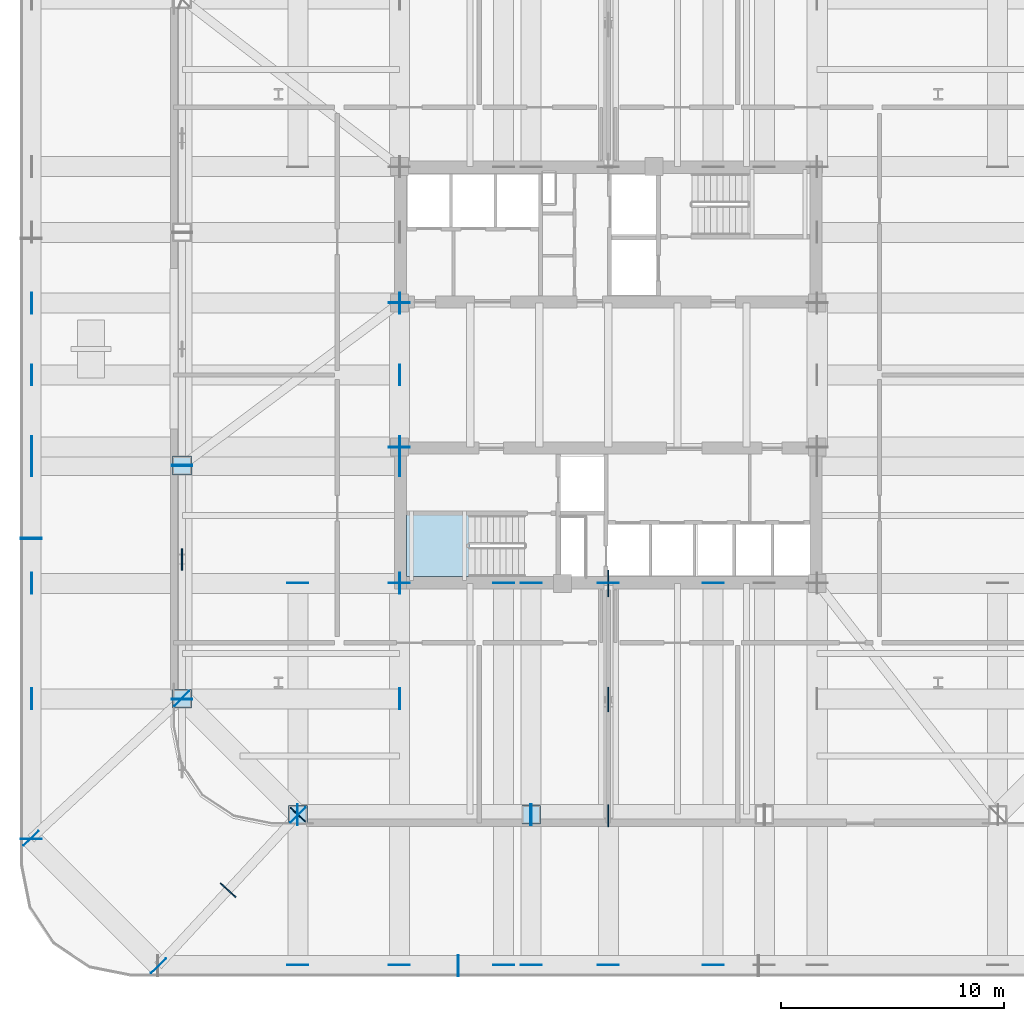
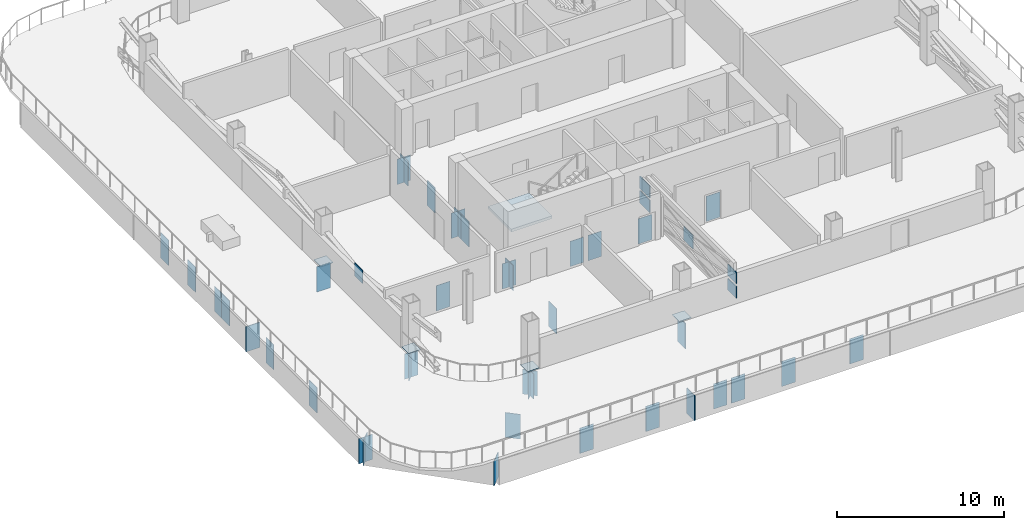
# One storey, part 4 of 16: 53 plates, 1 slab, 1 element without a shape of its own.
"""IFC4 building model written with IfcOpenShell, lengths in metres."""

from ifc_helpers import new_model, si_unit, direction, frame, origin, origin_2d, place, context, subcontext, project, spatial, polyline, rectangle, outline, extrude, material, layer, layer_set, type_object, element, aggregate, save


model = new_model("IFC4")

# Units and contexts
model_context = context("Model", 3, precision=1e-05, world=origin(), true_north=direction((0.0, 1.0)))
body_context = subcontext(model_context, "Body", "Model", "MODEL_VIEW")
ifc_project = project(units=[si_unit("LENGTHUNIT", "METRE"), si_unit("AREAUNIT", "SQUARE_METRE"), si_unit("VOLUMEUNIT", "CUBIC_METRE"), si_unit("PLANEANGLEUNIT", "RADIAN"), si_unit("MASSUNIT", "GRAM", prefix="KILO")], contexts=[model_context])

# Site, building, storey
site_placement = place(None, origin())
site = spatial("IfcSite", under=ifc_project, at=site_placement, CompositionType="ELEMENT")
building_placement = place(site_placement, origin())
building = spatial("IfcBuilding", under=site, at=building_placement, Name="Qhalaya Broadcast Tower", CompositionType="ELEMENT")
storey_placement = place(building_placement, frame((0.0, 0.0, 57.89990234375)))
storey = spatial("IfcBuildingStorey", under=building, at=storey_placement, Name="L16", CompositionType="ELEMENT", Elevation=57.89990234375)

# Plates
ifc_material_1 = material(Name="Structural Steel ASTM A572 Grade 50", Category="steel")
ifc_layer_1 = layer(ifc_material_1, 0.4599609375, Name="Structural Steel ASTM A572 Grade 50")
ifc_layer_set_1 = layer_set([ifc_layer_1], Name="Structural Steel ASTM A572 Grade 50")
plate_type_1 = type_object("IfcPlateType", Name="Hollow Box Member End Cap Plate CP-01", PredefinedType="USERDEFINED", material=ifc_layer_set_1)
for number, where, z_axis, x_axis, name in (
    (1, (-13.946044921875, -19.1298828125, -2.10009765625), (0.0, 0.0, 1.0), (0.0, 1.0, 0.0), "L16 Hollow Girder End Cap L16-SPR-01-A"),
    (2, (-3.447265625, -19.1298828125, -2.10009765625), (0.0, 0.0, 1.0), (0.0, 1.0, 0.0), "L16 Hollow Girder End Cap L16-SPR-01-B"),
    (3, (-3.479248046875, -19.1298828125, -2.10009765625), (0.0, 0.0, 1.0), (0.0, 1.0, 0.0), "L16 Hollow Girder End Cap L16-SPR-02-A"),
    (4, (-19.1298828125, -3.479248046875, -2.10009765625), (0.0, 0.0, 1.0), (1.0, 0.0, 0.0), "L16 Hollow Girder End Cap L16-SPR-14-B"),
    (5, (-19.1298828125, -3.447265625, -2.10009765625), (0.0, 0.0, 1.0), (1.0, 0.0, 0.0), "L16 Hollow Girder End Cap L16-SPR-15-A"),
    (6, (-19.1298828125, -13.946044921875, -2.10009765625), (0.0, 0.0, 1.0), (1.0, 0.0, 0.0), "L16 Hollow Girder End Cap L16-SPR-15-B"),
    (7, (-19.141357421875, -13.918701171875, -2.10009765625), (0.0, 0.0, 1.0), (0.707106781187, 0.707106781187, 0.0), "L16 Hollow Girder End Cap L16-SPR-16-A"),
    (8, (-13.918701171875, -19.141357421875, -2.10009765625), (0.0, 0.0, 1.0), (0.707106781187, 0.707106781187, 0.0), "L16 Hollow Girder End Cap L16-SPR-16-B"),
    (9, (-6.71728515625, -25.89990234375, -2.10009765625), (0.0, 0.0, 1.0), (0.0, 1.0, 0.0), "L16 Hollow Girder End Cap L16-TGL-01-B"),
    (10, (-6.749267578125, -25.89990234375, -2.10009765625), (0.0, 0.0, 1.0), (0.0, 1.0, 0.0), "L16 Hollow Girder End Cap L16-TGL-02-A"),
    (11, (-25.89990234375, -6.749267578125, -2.10009765625), (0.0, 0.0, 1.0), (1.0, 0.0, 0.0), "L16 Hollow Girder End Cap L16-TGL-14-B"),
    (12, (-25.89990234375, -6.71728515625, -2.10009765625), (0.0, 0.0, 1.0), (1.0, 0.0, 0.0), "L16 Hollow Girder End Cap L16-TGL-15-A"),
    (13, (-25.89990234375, -20.216064453125, -2.10009765625), (0.0, 0.0, 1.0), (1.0, 0.0, 0.0), "L16 Hollow Girder End Cap L16-TGL-15-B"),
    (14, (-25.911376953125, -20.188720703125, -2.10009765625), (0.0, 0.0, 1.0), (0.707106781187, 0.707106781187, 0.0), "L16 Hollow Girder End Cap L16-TGL-16-A"),
    (15, (-20.188720703125, -25.911376953125, -2.10009765625), (0.0, 0.0, 1.0), (0.707106781187, 0.707106781187, 0.0), "L16 Hollow Girder End Cap L16-TGL-16-B"),
    (16, (0.0, -25.8759765625, -2.10009765625), (0.0, 0.0, 1.0), (-1.0, 0.0, 0.0), "L16 Hollow Girder End Cap L16-TGIMS-1-A"),
    (17, (0.0, -8.73388671875, -2.10009765625), (0.0, 0.0, 1.0), (-1.0, 0.0, 0.0), "L16 Hollow Girder End Cap L16-TGIMS-1-B"),
    (18, (-4.699951171875, -25.8759765625, -2.10009765625), (0.0, 0.0, 1.0), (-1.0, 0.0, 0.0), "L16 Hollow Girder End Cap L16-TGIMSW-1-A"),
    (19, (-4.699951171875, -8.73388671875, -2.10009765625), (0.0, 0.0, 1.0), (-1.0, 0.0, 0.0), "L16 Hollow Girder End Cap L16-TGIMSW-1-B"),
    (20, (4.699951171875, -25.8759765625, -2.10009765625), (0.0, 0.0, 1.0), (-1.0, 0.0, 0.0), "L16 Hollow Girder End Cap L16-TGIMSE-1-A"),
    (21, (4.699951171875, -8.73388671875, -2.10009765625), (0.0, 0.0, 1.0), (-1.0, 0.0, 0.0), "L16 Hollow Girder End Cap L16-TGIMSE-1-B"),
    (22, (-25.8759765625, 0.60009765625, -2.10009765625), (0.0, 0.0, 1.0), (0.0, 1.0, 0.0), "L16 Hollow Girder End Cap L16-TGIYW-1-A"),
    (23, (-9.35888671875, 0.60009765625, -2.10009765625), (0.0, 0.0, 1.0), (0.0, 1.0, 0.0), "L16 Hollow Girder End Cap L16-TGIYW-1-B"),
    (24, (-9.375, -25.8759765625, -2.10009765625), (0.0, 0.0, 1.0), (-1.0, 0.0, 0.0), "L16 Hollow Girder End Cap L16-TGISW-1-A"),
    (25, (-9.375, -8.73388671875, -2.10009765625), (0.0, 0.0, 1.0), (-1.0, 0.0, 0.0), "L16 Hollow Girder End Cap L16-TGISW-1-B"),
    (26, (-9.375, -2.64111328125, -2.10009765625), (0.0, 0.0, 1.0), (-1.0, 0.0, 0.0), "L16 Hollow Girder End Cap L16-TGIMW-1-A"),
    (27, (-9.375, 3.841064453125, -2.10009765625), (0.0, 0.0, 1.0), (-1.0, 0.0, 0.0), "L16 Hollow Girder End Cap L16-TGIMW-1-B"),
    (28, (-25.8759765625, -8.75, -2.10009765625), (0.0, 0.0, 1.0), (0.0, 1.0, 0.0), "L16 Hollow Girder End Cap L16-TGIY1W-1-A"),
    (29, (-9.35888671875, -8.75, -2.10009765625), (0.0, 0.0, 1.0), (0.0, 1.0, 0.0), "L16 Hollow Girder End Cap L16-TGIY1W-1-B"),
    (30, (-25.8759765625, -2.625, -2.10009765625), (0.0, 0.0, 1.0), (0.0, 1.0, 0.0), "L16 Hollow Girder End Cap L16-TGIY2W-1-A"),
    (31, (-9.35888671875, -2.625, -2.10009765625), (0.0, 0.0, 1.0), (0.0, 1.0, 0.0), "L16 Hollow Girder End Cap L16-TGIY2W-1-B"),
    (32, (-25.8759765625, 3.824951171875, -2.10009765625), (0.0, 0.0, 1.0), (0.0, 1.0, 0.0), "L16 Hollow Girder End Cap L16-TGIY3W-1-A"),
    (33, (-9.35888671875, 3.824951171875, -2.10009765625), (0.0, 0.0, 1.0), (0.0, 1.0, 0.0), "L16 Hollow Girder End Cap L16-TGIY3W-1-B"),
    (34, (-13.929931640625, -25.8759765625, -2.10009765625), (0.0, 0.0, 1.0), (-1.0, 0.0, 0.0), "L16 Hollow Girder End Cap L16-TGC-01-A"),
    (35, (-13.929931640625, -8.73388671875, -2.10009765625), (0.0, 0.0, 1.0), (-1.0, 0.0, 0.0), "L16 Hollow Girder End Cap L16-TGC-01-B"),
):
    element("IfcPlate", number, at=place(storey_placement, frame(where, z_axis=z_axis, x_axis=x_axis)), inside=storey, type_object=plate_type_1, Name=name, ObjectType="COVER_PLATE", PredefinedType="USERDEFINED", context=body_context, shape_type="SweptSolid", body=[
        extrude(rectangle(XDim=0.93994140625, YDim=0.031982421875, at=origin_2d()), origin(), (0.0, 0.0, 1.0), 1.840087890625),
    ])
plate_1_placement = place(storey_placement, frame((-13.929931640625, -19.1298828125, -2.080078125), z_axis=(0.0, 0.0, 1.0), x_axis=(-0.733682428764, 0.679492526614, 0.0)))
element("IfcPlate", 36, at=plate_1_placement, inside=storey, type_object=plate_type_1, Name="L16 Transfer Box End Cap 01", ObjectType="COVER_PLATE", PredefinedType="USERDEFINED", context=body_context, shape_type="SweptSolid", body=[
    extrude(rectangle(XDim=0.919921875, YDim=0.035888671875, at=origin_2d()), origin(), (0.0, 0.0, 1.0), 1.800048828125),
])
for number, where, z_axis, x_axis, name in (
    (37, (-3.46337890625, -25.8759765625, -2.10009765625), (0.0, 0.0, 1.0), (-1.0, 0.0, 0.0), "L16 Hollow Girder End Cap L16-TGC-02-A"),
    (38, (-3.46337890625, -8.73388671875, -2.10009765625), (0.0, 0.0, 1.0), (-1.0, 0.0, 0.0), "L16 Hollow Girder End Cap L16-TGC-02-B"),
    (39, (-25.8759765625, -3.46337890625, -2.10009765625), (0.0, 0.0, 1.0), (0.0, 1.0, 0.0), "L16 Hollow Girder End Cap L16-TGC-15-A"),
    (40, (-9.35888671875, -3.46337890625, -2.10009765625), (0.0, 0.0, 1.0), (0.0, 1.0, 0.0), "L16 Hollow Girder End Cap L16-TGC-15-B"),
    (41, (-25.8759765625, -13.929931640625, -2.10009765625), (0.0, 0.0, 1.0), (0.0, 1.0, 0.0), "L16 Hollow Girder End Cap L16-TGC-16-A"),
    (42, (-9.35888671875, -13.929931640625, -2.10009765625), (0.0, 0.0, 1.0), (0.0, 1.0, 0.0), "L16 Hollow Girder End Cap L16-TGC-16-B"),
):
    element("IfcPlate", number, at=place(storey_placement, frame(where, z_axis=z_axis, x_axis=x_axis)), inside=storey, type_object=plate_type_1, Name=name, ObjectType="COVER_PLATE", PredefinedType="USERDEFINED", context=body_context, shape_type="SweptSolid", body=[
        extrude(rectangle(XDim=0.93994140625, YDim=0.031982421875, at=origin_2d()), origin(), (0.0, 0.0, 1.0), 1.840087890625),
    ])
for number, where, z_axis, x_axis, name in (
    (43, (-13.929931640625, -19.1298828125, -0.03173828125), (0.0, 0.0, 1.0), (1.0, 0.0, 0.0), "L16 Hollow Box Column Base Cap Plate COL-NK01"),
    (44, (-3.46337890625, -19.1298828125, -0.03173828125), (0.0, 0.0, 1.0), (1.0, 0.0, 0.0), "L16 Hollow Box Column Base Cap Plate COL-NK02"),
    (45, (-19.1298828125, -3.46337890625, -0.03173828125), (0.0, 0.0, 1.0), (0.0, 1.0, 0.0), "L16 Hollow Box Column Base Cap Plate COL-NK15"),
    (46, (-19.1298828125, -13.929931640625, -0.03173828125), (0.0, 0.0, 1.0), (0.0, 1.0, 0.0), "L16 Hollow Box Column Base Cap Plate COL-NK16"),
):
    element("IfcPlate", number, at=place(storey_placement, frame(where, z_axis=z_axis, x_axis=x_axis)), inside=storey, type_object=plate_type_1, Name=name, ObjectType="COVER_PLATE", PredefinedType="USERDEFINED", context=body_context, shape_type="SweptSolid", body=[
        extrude(rectangle(XDim=0.840087890625, YDim=0.840087890625, at=origin_2d()), origin(), (0.0, 0.0, 1.0), 0.031982421875),
    ])
ifc_layer_2 = layer(ifc_material_1, 0.06005859375, Name="Structural Steel ASTM A572 Grade 50")
ifc_layer_set_2 = layer_set([ifc_layer_2], Name="Structural Steel ASTM A572 Grade 50")
plate_type_2 = type_object("IfcPlateType", Name="Outrigger Core Embed Gusset Plate NP-02", PredefinedType="USERDEFINED", material=ifc_layer_set_2)
for number, where, z_axis, x_axis, name in (
    (47, (0.0, -8.75, 0.400146484375), (0.0, 0.0, 1.0), (0.0, -1.0, 0.0), "L16 Outrigger Gusset Node SC-C0"),
    (48, (0.0, -8.75, 1.4501953125), (0.0, 0.0, 1.0), (0.0, -1.0, 0.0), "L16 Outrigger Gusset Node SC-C1"),
):
    element("IfcPlate", number, at=place(storey_placement, frame(where, z_axis=z_axis, x_axis=x_axis)), inside=storey, type_object=plate_type_2, Name=name, ObjectType="GUSSET_PLATE", PredefinedType="USERDEFINED", context=body_context, shape_type="SweptSolid", body=[
        extrude(rectangle(XDim=1.199951171875, YDim=0.06005859375, at=origin_2d()), origin(), (0.0, 0.0, 1.0), 0.89990234375),
    ])
plate_2_placement = place(storey_placement, frame((0.0, -13.965087890625, 0.875), z_axis=(0.0, 0.0, 1.0), x_axis=(0.0, -1.0, 0.0)))
element("IfcPlate", 49, at=plate_2_placement, inside=storey, type_object=plate_type_2, Name="L16 Outrigger Gusset Node SC-XM", ObjectType="GUSSET_PLATE", PredefinedType="USERDEFINED", context=body_context, shape_type="SweptSolid", body=[
    extrude(rectangle(XDim=1.10009765625, YDim=0.06005859375, at=origin_2d()), origin(), (0.0, 0.0, 1.0), 1.0),
])
for number, where, z_axis, x_axis, name in (
    (50, (0.0, -19.179931640625, 0.425048828125), (0.0, 0.0, 1.0), (0.0, -1.0, 0.0), "L16 Outrigger Gusset Node SC-P0"),
    (51, (0.0, -19.179931640625, 1.47509765625), (0.0, 0.0, 1.0), (0.0, -1.0, 0.0), "L16 Outrigger Gusset Node SC-P1"),
):
    element("IfcPlate", number, at=place(storey_placement, frame(where, z_axis=z_axis, x_axis=x_axis)), inside=storey, type_object=plate_type_2, Name=name, ObjectType="GUSSET_PLATE", PredefinedType="USERDEFINED", context=body_context, shape_type="SweptSolid", body=[
        extrude(rectangle(XDim=1.0, YDim=0.06005859375, at=origin_2d()), origin(), (0.0, 0.0, 1.0), 0.85009765625),
    ])
plate_3_placement = place(storey_placement, frame((-19.1298828125, -7.679931640625, 1.21533203125), z_axis=(0.0, 0.0, 1.0), x_axis=(0.0, 1.0, 0.0)))
element("IfcPlate", 52, at=plate_3_placement, inside=storey, type_object=plate_type_2, Name="L16 Belt Truss X-Crossing Gusset W1", ObjectType="GUSSET_PLATE", PredefinedType="USERDEFINED", context=body_context, shape_type="SweptSolid", body=[
    extrude(rectangle(XDim=0.949951171875, YDim=0.06005859375, at=origin_2d()), origin(), (0.0, 0.0, 1.0), 0.949951171875),
])

# Stair, slab
ifc_material_2 = material(Name="Concrete C40/50", Category="concrete")
stair_type = type_object("IfcStairType", Name="Protected Dogleg Core Stair 3600", PredefinedType="TWO_STRAIGHT_RUN_STAIR", material=ifc_material_2)
stair_placement = place(storey_placement, origin())
stair = element("IfcStair", 53, at=stair_placement, inside=storey, type_object=stair_type, Name="L16 South Core Exit Stair ST-2", PredefinedType="TWO_STRAIGHT_RUN_STAIR")
ifc_layer_3 = layer(ifc_material_2, 0.199951171875, Name="Concrete C40/50")
ifc_layer_set_3 = layer_set([ifc_layer_3], Name="Concrete C40/50")
slab_type = type_object("IfcSlabType", Name="Stair & Ramp Half-Landing Slab 200", PredefinedType="LANDING", material=ifc_layer_set_3)
slab_placement = place(storey_placement, frame((0.0, 0.0, 1.60009765625)))
slab = element("IfcSlab", 54, at=slab_placement, type_object=slab_type, Name="ST-2 landing 1", PredefinedType="LANDING", context=body_context, shape_type="SweptSolid", body=[
    extrude(outline(polyline([(-6.235107421875, -5.679931640625), (-9.050048828125, -5.679931640625), (-9.050048828125, -8.43994140625), (-6.235107421875, -8.43994140625), (-6.235107421875, -5.679931640625)])), origin(), (0.0, 0.0, 1.0), 0.199951171875),
])
aggregate(stair, [slab])

# Plate
ifc_layer_4 = layer(ifc_material_1, 0.044921875, Name="Structural Steel ASTM A572 Grade 50")
ifc_layer_set_4 = layer_set([ifc_layer_4], Name="Structural Steel ASTM A572 Grade 50")
plate_type_3 = type_object("IfcPlateType", Name="Transfer Girder Web Stiffener Plate WS-01", PredefinedType="USERDEFINED", material=ifc_layer_set_4)
plate_4_placement = place(storey_placement, frame((-17.06494140625, -22.514892578125, -2.080078125), z_axis=(0.0, 0.0, 1.0), x_axis=(-0.733682428764, 0.679492526614, 0.0)))
element("IfcPlate", 55, at=plate_4_placement, inside=storey, type_object=plate_type_3, Name="L16 Transfer Girder Stiffener 01", ObjectType="STIFFENER_PLATE", PredefinedType="USERDEFINED", context=body_context, shape_type="SweptSolid", body=[
    extrude(rectangle(XDim=0.93994140625, YDim=0.044921875, at=origin_2d()), origin(), (0.0, 0.0, 1.0), 1.800048828125),
])

save(model, "model.ifc")
